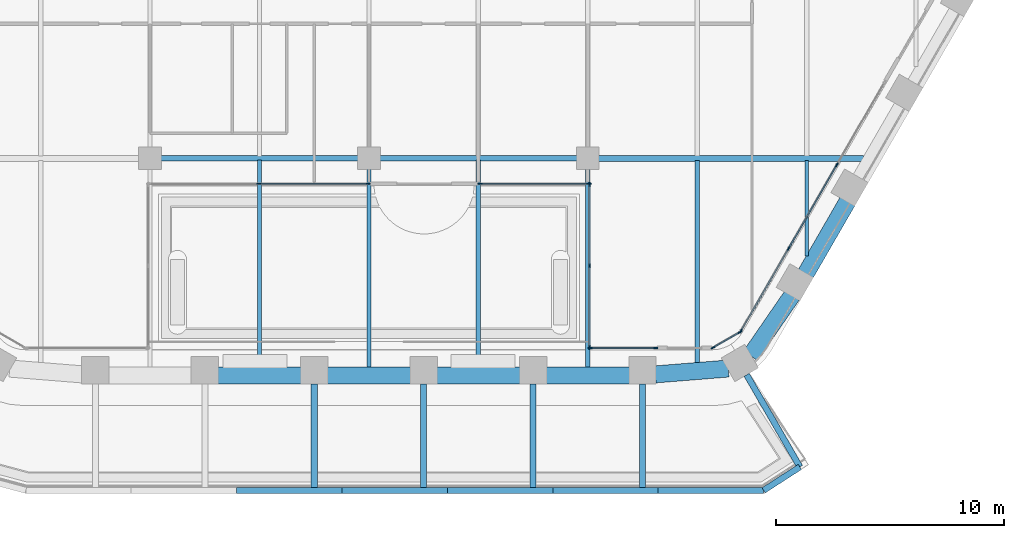
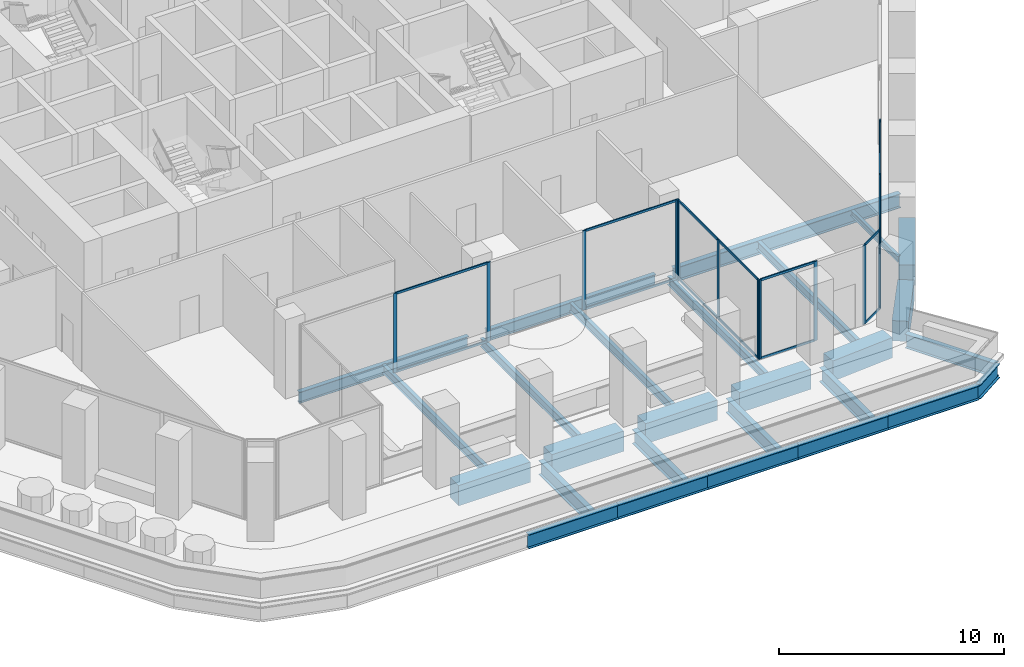
# One storey, part 4 of 27: 30 members, 27 beams, 6 elements without a shape of their own.
"""IFC4 building model written with IfcOpenShell, lengths in metres."""

from ifc_helpers import new_model, si_unit, direction, frame, origin, origin_2d, place, context, subcontext, project, spatial, rectangle, i_section, extrude, material, material_profile, profile_set, type_object, element, aggregate, save


model = new_model("IFC4")

# Units and contexts
model_context = context("Model", 3, precision=1e-05, world=origin(), true_north=direction((0.0, 1.0)))
body_context = subcontext(model_context, "Body", "Model", "MODEL_VIEW")
ifc_project = project(units=[si_unit("LENGTHUNIT", "METRE"), si_unit("AREAUNIT", "SQUARE_METRE"), si_unit("VOLUMEUNIT", "CUBIC_METRE"), si_unit("PLANEANGLEUNIT", "RADIAN"), si_unit("MASSUNIT", "GRAM", prefix="KILO")], contexts=[model_context])

# Site, building, storey
site_placement = place(None, origin())
site = spatial("IfcSite", under=ifc_project, at=site_placement, CompositionType="ELEMENT")
building_placement = place(site_placement, origin())
building = spatial("IfcBuilding", under=site, at=building_placement, Name="Kolab Exchange Tower", CompositionType="ELEMENT")
storey_placement = place(building_placement, frame((0.0, 0.0, 109.39990234375)))
storey = spatial("IfcBuildingStorey", under=building, at=storey_placement, Name="L21", CompositionType="ELEMENT", Elevation=109.39990234375)

# Beams
ifc_material_1 = material(Name="Steel S355", Category="steel")
ifc_material_profile_1 = material_profile(ifc_material_1, i_section(OverallWidth=0.1650390625, OverallDepth=0.31005859375, WebThickness=0.005859375, FlangeThickness=0.009765625, at=origin_2d()), Name="W310X39")
ifc_profile_set_1 = profile_set([ifc_material_profile_1], Name="Steel S355")
beam_type_1 = type_object("IfcBeamType", Name="FLOOR BEAM W310X39", PredefinedType="BEAM", material=ifc_profile_set_1)
beam_1_placement = place(storey_placement, frame((19.199951171875, -23.4814453125, -0.35498046875), z_axis=(0.0, 1.0, 0.0), x_axis=(-1.0, 0.0, 0.0)))
element("IfcBeam", 1, at=beam_1_placement, inside=storey, type_object=beam_type_1, Name="beam/L21/fr/040", PredefinedType="BEAM", context=body_context, shape_type="SweptSolid", body=[
    extrude(i_section(OverallWidth=0.1650390625, OverallDepth=0.31005859375, WebThickness=0.005859375, FlangeThickness=0.009765625, at=origin_2d()), origin(), (0.0, 0.0, 1.0), 4.18798828125),
])
ifc_material_profile_2 = material_profile(ifc_material_1, i_section(OverallWidth=0.18994140625, OverallDepth=0.45703125, WebThickness=0.009033203125, FlangeThickness=0.014404296875, at=origin_2d()), Name="W460X74")
ifc_profile_set_2 = profile_set([ifc_material_profile_2], Name="Steel S355")
beam_type_2 = type_object("IfcBeamType", Name="FLOOR BEAM W460X74", PredefinedType="BEAM", material=ifc_profile_set_2)
beam_2_placement = place(storey_placement, frame((-4.800048828125, -28.388427734375, -0.428466796875), z_axis=(0.0, 1.0, 0.0), x_axis=(-1.0, 0.0, 0.0)))
element("IfcBeam", 2, at=beam_2_placement, inside=storey, type_object=beam_type_2, Name="beam/L21/fr/020", PredefinedType="BEAM", context=body_context, shape_type="SweptSolid", body=[
    extrude(i_section(OverallWidth=0.18994140625, OverallDepth=0.45703125, WebThickness=0.009033203125, FlangeThickness=0.014404296875, at=origin_2d()), origin(), (0.0, 0.0, 1.0), 9.114501953125),
])
beam_3_placement = place(storey_placement, frame((0.0, -28.388427734375, -0.428466796875), z_axis=(0.0, 1.0, 0.0), x_axis=(-1.0, 0.0, 0.0)))
element("IfcBeam", 3, at=beam_3_placement, inside=storey, type_object=beam_type_2, Name="beam/L21/fr/024", PredefinedType="BEAM", context=body_context, shape_type="SweptSolid", body=[
    extrude(i_section(OverallWidth=0.18994140625, OverallDepth=0.45703125, WebThickness=0.009033203125, FlangeThickness=0.014404296875, at=origin_2d()), origin(), (0.0, 0.0, 1.0), 8.728515625),
])
beam_4_placement = place(storey_placement, frame((4.800048828125, -28.388427734375, -0.428466796875), z_axis=(0.0, 1.0, 0.0), x_axis=(-1.0, 0.0, 0.0)))
element("IfcBeam", 4, at=beam_4_placement, inside=storey, type_object=beam_type_2, Name="beam/L21/fr/028", PredefinedType="BEAM", context=body_context, shape_type="SweptSolid", body=[
    extrude(i_section(OverallWidth=0.18994140625, OverallDepth=0.45703125, WebThickness=0.009033203125, FlangeThickness=0.014404296875, at=origin_2d()), origin(), (0.0, 0.0, 1.0), 9.114501953125),
])
beam_5_placement = place(storey_placement, frame((9.60009765625, -28.388427734375, -0.428466796875), z_axis=(0.0, 1.0, 0.0), x_axis=(-1.0, 0.0, 0.0)))
element("IfcBeam", 5, at=beam_5_placement, inside=storey, type_object=beam_type_2, Name="beam/L21/fr/032", PredefinedType="BEAM", context=body_context, shape_type="SweptSolid", body=[
    extrude(i_section(OverallWidth=0.18994140625, OverallDepth=0.45703125, WebThickness=0.009033203125, FlangeThickness=0.014404296875, at=origin_2d()), origin(), (0.0, 0.0, 1.0), 8.728515625),
])
beam_6_placement = place(storey_placement, frame((14.39990234375, -28.194580078125, -0.428466796875), z_axis=(0.0, 1.0, 0.0), x_axis=(-1.0, 0.0, 0.0)))
element("IfcBeam", 6, at=beam_6_placement, inside=storey, type_object=beam_type_2, Name="beam/L21/fr/036", PredefinedType="BEAM", context=body_context, shape_type="SweptSolid", body=[
    extrude(i_section(OverallWidth=0.18994140625, OverallDepth=0.45703125, WebThickness=0.009033203125, FlangeThickness=0.014404296875, at=origin_2d()), origin(), (0.0, 0.0, 1.0), 8.901123046875),
])
ifc_material_profile_3 = material_profile(ifc_material_1, i_section(OverallWidth=0.22802734375, OverallDepth=0.60791015625, WebThickness=0.01123046875, FlangeThickness=0.017333984375, at=origin_2d()), Name="W610X113")
ifc_profile_set_3 = profile_set([ifc_material_profile_3], Name="Steel S355")
beam_type_3 = type_object("IfcBeamType", Name="FLOOR GIRDER W610X113", PredefinedType="BEAM", material=ifc_profile_set_3)
for number, where, z_axis, x_axis, name in (
    (7, (-9.139892578125, -19.199951171875, -0.50390625), (1.0, 0.0, 0.0), (0.0, 1.0, 0.0), "beam/L21/gd/008"),
    (8, (0.4599609375, -19.199951171875, -0.50390625), (1.0, 0.0, 0.0), (0.0, 1.0, 0.0), "beam/L21/gd/010"),
):
    element("IfcBeam", number, at=place(storey_placement, frame(where, z_axis=z_axis, x_axis=x_axis)), inside=storey, type_object=beam_type_3, Name=name, PredefinedType="BEAM", context=body_context, shape_type="SweptSolid", body=[
        extrude(i_section(OverallWidth=0.22802734375, OverallDepth=0.60791015625, WebThickness=0.01123046875, FlangeThickness=0.017333984375, at=origin_2d()), origin(), (0.0, 0.0, 1.0), 8.679931640625),
    ])
ifc_material_profile_4 = material_profile(ifc_material_1, i_section(OverallWidth=0.26708984375, OverallDepth=0.761962890625, WebThickness=0.014404296875, FlangeThickness=0.021484375, at=origin_2d()), Name="W760X173")
ifc_profile_set_4 = profile_set([ifc_material_profile_4], Name="Steel S355")
beam_type_4 = type_object("IfcBeamType", Name="FLOOR GIRDER W760X173", PredefinedType="BEAM", material=ifc_profile_set_4)
beam_7_placement = place(storey_placement, frame((10.06005859375, -19.199951171875, -0.580810546875), z_axis=(1.0, 0.0, 0.0), x_axis=(0.0, 1.0, 0.0)))
element("IfcBeam", 9, at=beam_7_placement, inside=storey, type_object=beam_type_4, Name="beam/L21/gd/012", PredefinedType="BEAM", context=body_context, shape_type="SweptSolid", body=[
    extrude(i_section(OverallWidth=0.26708984375, OverallDepth=0.761962890625, WebThickness=0.014404296875, FlangeThickness=0.021484375, at=origin_2d()), origin(), (0.0, 0.0, 1.0), 11.628662109375),
])
beam_8_placement = place(storey_placement, frame((16.56787109375, -28.696533203125, -0.640869140625), z_axis=(0.500004747635, -0.866022662719, 0.0), x_axis=(0.866022662719, 0.500004747635, 0.0)))
element("IfcBeam", 10, at=beam_8_placement, inside=storey, type_object=beam_type_4, Name="beam/L21/ledge/rib-00", PredefinedType="BEAM", context=body_context, shape_type="SweptSolid", body=[
    extrude(i_section(OverallWidth=0.26708984375, OverallDepth=0.761962890625, WebThickness=0.014404296875, FlangeThickness=0.021484375, at=origin_2d()), origin(), (0.0, 0.0, 1.0), 4.66650390625),
])
for number, where, z_axis, x_axis, name in (
    (11, (12.0, -29.098388671875, -0.640869140625), (0.0, -1.0, 0.0), (1.0, 0.0, 0.0), "beam/L21/ledge/rib-01"),
    (12, (7.199951171875, -29.098388671875, -0.640869140625), (0.0, -1.0, 0.0), (1.0, 0.0, 0.0), "beam/L21/ledge/rib-02"),
    (13, (2.39990234375, -29.098388671875, -0.640869140625), (0.0, -1.0, 0.0), (1.0, 0.0, 0.0), "beam/L21/ledge/rib-03"),
    (14, (-2.39990234375, -29.098388671875, -0.640869140625), (0.0, -1.0, 0.0), (1.0, 0.0, 0.0), "beam/L21/ledge/rib-04"),
):
    element("IfcBeam", number, at=place(storey_placement, frame(where, z_axis=z_axis, x_axis=x_axis)), inside=storey, type_object=beam_type_4, Name=name, PredefinedType="BEAM", context=body_context, shape_type="SweptSolid", body=[
        extrude(i_section(OverallWidth=0.26708984375, OverallDepth=0.761962890625, WebThickness=0.014404296875, FlangeThickness=0.021484375, at=origin_2d()), origin(), (0.0, 0.0, 1.0), 4.533203125),
    ])
beam_9_placement = place(storey_placement, frame((18.9013671875, -32.738037109375, -0.640869140625), z_axis=(-0.839981802732, -0.542614569542, 0.0), x_axis=(0.542614569542, -0.839981802732, 0.0)))
element("IfcBeam", 15, at=beam_9_placement, inside=storey, type_object=beam_type_4, Name="beam/L21/ledge/edge-00", PredefinedType="BEAM", context=body_context, shape_type="SweptSolid", body=[
    extrude(i_section(OverallWidth=0.26708984375, OverallDepth=0.761962890625, WebThickness=0.014404296875, FlangeThickness=0.021484375, at=origin_2d()), origin(), (0.0, 0.0, 1.0), 1.892333984375),
])
beam_10_placement = place(storey_placement, frame((17.311767578125, -33.764892578125, -0.640869140625), z_axis=(-1.0, 0.0, 0.0), x_axis=(0.0, -1.0, 0.0)))
element("IfcBeam", 16, at=beam_10_placement, inside=storey, type_object=beam_type_4, Name="beam/L21/ledge/edge-01", PredefinedType="BEAM", context=body_context, shape_type="SweptSolid", body=[
    extrude(i_section(OverallWidth=0.26708984375, OverallDepth=0.761962890625, WebThickness=0.014404296875, FlangeThickness=0.021484375, at=origin_2d()), origin(), (0.0, 0.0, 1.0), 4.623046875),
])
beam_11_placement = place(storey_placement, frame((12.688720703125, -33.764892578125, -0.640869140625), z_axis=(-1.0, 0.0, 0.0), x_axis=(0.0, -1.0, 0.0)))
element("IfcBeam", 17, at=beam_11_placement, inside=storey, type_object=beam_type_4, Name="beam/L21/ledge/edge-02", PredefinedType="BEAM", context=body_context, shape_type="SweptSolid", body=[
    extrude(i_section(OverallWidth=0.26708984375, OverallDepth=0.761962890625, WebThickness=0.014404296875, FlangeThickness=0.021484375, at=origin_2d()), origin(), (0.0, 0.0, 1.0), 4.623291015625),
])
beam_12_placement = place(storey_placement, frame((8.0654296875, -33.764892578125, -0.640869140625), z_axis=(-1.0, 0.0, 0.0), x_axis=(0.0, -1.0, 0.0)))
element("IfcBeam", 18, at=beam_12_placement, inside=storey, type_object=beam_type_4, Name="beam/L21/ledge/edge-03", PredefinedType="BEAM", context=body_context, shape_type="SweptSolid", body=[
    extrude(i_section(OverallWidth=0.26708984375, OverallDepth=0.761962890625, WebThickness=0.014404296875, FlangeThickness=0.021484375, at=origin_2d()), origin(), (0.0, 0.0, 1.0), 4.623046875),
])
beam_13_placement = place(storey_placement, frame((3.4423828125, -33.764892578125, -0.640869140625), z_axis=(-1.0, 0.0, 0.0), x_axis=(0.0, -1.0, 0.0)))
element("IfcBeam", 19, at=beam_13_placement, inside=storey, type_object=beam_type_4, Name="beam/L21/ledge/edge-04", PredefinedType="BEAM", context=body_context, shape_type="SweptSolid", body=[
    extrude(i_section(OverallWidth=0.26708984375, OverallDepth=0.761962890625, WebThickness=0.014404296875, FlangeThickness=0.021484375, at=origin_2d()), origin(), (0.0, 0.0, 1.0), 4.623291015625),
])
beam_14_placement = place(storey_placement, frame((-1.180908203125, -33.764892578125, -0.640869140625), z_axis=(-1.0, 0.0, 0.0), x_axis=(0.0, -1.0, 0.0)))
element("IfcBeam", 20, at=beam_14_placement, inside=storey, type_object=beam_type_4, Name="beam/L21/ledge/edge-05", PredefinedType="BEAM", context=body_context, shape_type="SweptSolid", body=[
    extrude(i_section(OverallWidth=0.26708984375, OverallDepth=0.761962890625, WebThickness=0.014404296875, FlangeThickness=0.021484375, at=origin_2d()), origin(), (0.0, 0.0, 1.0), 4.623046875),
])
ifc_material_2 = material(Name="Concrete C70/85", Category="concrete")
ifc_material_profile_5 = material_profile(ifc_material_2, rectangle(XDim=0.75, YDim=1.10009765625, at=origin_2d()), Name="RC750X1100")
ifc_profile_set_5 = profile_set([ifc_material_profile_5], Name="Concrete C70/85")
beam_type_5 = type_object("IfcBeamType", Name="SPANDREL BEAM 750X1100 C70/85", PredefinedType="BEAM", material=ifc_profile_set_5)
beam_15_placement = place(storey_placement, frame((20.995361328125, -21.08203125, -0.75), z_axis=(-0.500013413428, -0.866017659399, 0.0), x_axis=(0.866017659399, -0.500013413428, 0.0)))
element("IfcBeam", 21, at=beam_15_placement, inside=storey, type_object=beam_type_5, Name="beam/L21/sp/F3-06", PredefinedType="BEAM", context=body_context, shape_type="SweptSolid", body=[
    extrude(rectangle(XDim=0.75, YDim=1.10009765625, at=origin_2d()), origin(), (0.0, 0.0, 1.0), 3.68017578125),
])
for number, where, z_axis, x_axis, name in (
    (22, (18.55615234375, -25.216552734375, -0.75), (-0.567661826262, -0.823261836237, 0.0), (0.823261836237, -0.567661826262, 0.0), "beam/L21/sp/F3-07"),
    (23, (15.75830078125, -28.421630859375, -0.75), (-0.996791038408, -0.080047646748, 0.0), (0.080047646748, -0.996791038408, 0.0), "beam/L21/sp/F4-01"),
):
    element("IfcBeam", number, at=place(storey_placement, frame(where, z_axis=z_axis, x_axis=x_axis)), inside=storey, type_object=beam_type_5, Name=name, PredefinedType="BEAM", context=body_context, shape_type="SweptSolid", body=[
        extrude(rectangle(XDim=0.75, YDim=1.10009765625, at=origin_2d()), origin(), (0.0, 0.0, 1.0), 3.20849609375),
    ])
for number, where, z_axis, x_axis, name in (
    (24, (11.43994140625, -28.723388671875, -0.75), (-1.0, 0.0, 0.0), (0.0, -1.0, 0.0), "beam/L21/sp/F4-02"),
    (25, (6.639892578125, -28.723388671875, -0.75), (-1.0, 0.0, 0.0), (0.0, -1.0, 0.0), "beam/L21/sp/F4-03"),
):
    element("IfcBeam", number, at=place(storey_placement, frame(where, z_axis=z_axis, x_axis=x_axis)), inside=storey, type_object=beam_type_5, Name=name, PredefinedType="BEAM", context=body_context, shape_type="SweptSolid", body=[
        extrude(rectangle(XDim=0.75, YDim=1.10009765625, at=origin_2d()), origin(), (0.0, 0.0, 1.0), 3.679931640625),
    ])
beam_16_placement = place(storey_placement, frame((1.840087890625, -28.723388671875, -0.75), z_axis=(-1.0, 0.0, 0.0), x_axis=(0.0, -1.0, 0.0)))
element("IfcBeam", 26, at=beam_16_placement, inside=storey, type_object=beam_type_5, Name="beam/L21/sp/F4-04", PredefinedType="BEAM", context=body_context, shape_type="SweptSolid", body=[
    extrude(rectangle(XDim=0.75, YDim=1.10009765625, at=origin_2d()), origin(), (0.0, 0.0, 1.0), 3.68017578125),
])
beam_17_placement = place(storey_placement, frame((-2.9599609375, -28.723388671875, -0.75), z_axis=(-1.0, 0.0, 0.0), x_axis=(0.0, -1.0, 0.0)))
element("IfcBeam", 27, at=beam_17_placement, inside=storey, type_object=beam_type_5, Name="beam/L21/sp/F4-05", PredefinedType="BEAM", context=body_context, shape_type="SweptSolid", body=[
    extrude(rectangle(XDim=0.75, YDim=1.10009765625, at=origin_2d()), origin(), (0.0, 0.0, 1.0), 3.679931640625),
])

# Curtain wall, members
ifc_material_3 = material(Name="Aluminium EN AW-6063 T6", Category="aluminium")
curtain_wall_type = type_object("IfcCurtainWallType", Name="UNITISED LOWER MID ZONE CURTAIN WALL", PredefinedType="NOTDEFINED", material=ifc_material_3)
curtain_wall_1_placement = place(storey_placement, origin())
curtain_wall_1 = element("IfcCurtainWall", 28, at=curtain_wall_1_placement, inside=storey, type_object=curtain_wall_type, Name="cw/L21/F3-2", PredefinedType="NOTDEFINED")
ifc_material_profile_6 = material_profile(ifc_material_3, rectangle(XDim=0.06005859375, YDim=0.179931640625, at=origin_2d()), Name="RECT 60X180")
ifc_profile_set_6 = profile_set([ifc_material_profile_6], Name="Aluminium EN AW-6063 T6")
member_type_1 = type_object("IfcMemberType", Name="UNITISED LOWER MID ZONE MULLION 60 X 180", PredefinedType="MULLION", material=ifc_profile_set_6)
member_1_placement = place(storey_placement, frame((20.520263671875, -19.49462890625, 0.0), z_axis=(0.0, 0.0, 1.0), x_axis=(0.866025393644, -0.500000017564, 0.0)))
member_1 = element("IfcMember", 29, at=member_1_placement, type_object=member_type_1, Name="CW2 mullion 2", PredefinedType="MULLION", context=body_context, shape_type="SweptSolid", body=[
    extrude(rectangle(XDim=0.06005859375, YDim=0.179931640625, at=origin_2d()), origin(), (0.0, 0.0, 1.0), 4.300048828125),
])
member_2_placement = place(storey_placement, frame((18.408935546875, -23.151611328125, 0.0), z_axis=(0.0, 0.0, 1.0), x_axis=(0.866025393644, -0.500000017564, 0.0)))
member_2 = element("IfcMember", 30, at=member_2_placement, type_object=member_type_1, Name="CW2 mullion 3", PredefinedType="MULLION", context=body_context, shape_type="SweptSolid", body=[
    extrude(rectangle(XDim=0.06005859375, YDim=0.179931640625, at=origin_2d()), origin(), (0.0, 0.0, 1.0), 4.300048828125),
])
member_3_placement = place(storey_placement, frame((16.312744140625, -26.782470703125, 0.0), z_axis=(0.0, 0.0, 1.0), x_axis=(0.866025393644, -0.500000017564, 0.0)))
member_3 = element("IfcMember", 31, at=member_3_placement, type_object=member_type_1, Name="CW2 mullion 4", PredefinedType="MULLION", context=body_context, shape_type="SweptSolid", body=[
    extrude(rectangle(XDim=0.06005859375, YDim=0.179931640625, at=origin_2d()), origin(), (0.0, 0.0, 1.0), 4.300048828125),
])

curtain_wall_2_placement = place(storey_placement, origin())
curtain_wall_2 = element("IfcCurtainWall", 32, at=curtain_wall_2_placement, inside=storey, type_object=curtain_wall_type, Name="cw/L21/F4-l-1", PredefinedType="NOTDEFINED")
member_4_placement = place(storey_placement, frame((12.577880859375, -27.5185546875, 0.0), z_axis=(0.0, 0.0, 1.0), x_axis=(0.0, -1.0, 0.0)))
member_4 = element("IfcMember", 33, at=member_4_placement, type_object=member_type_1, Name="CW2 mullion 1", PredefinedType="MULLION", context=body_context, shape_type="SweptSolid", body=[
    extrude(rectangle(XDim=0.06005859375, YDim=0.179931640625, at=origin_2d()), origin(), (0.0, 0.0, 1.0), 4.300048828125),
])
member_5_placement = place(storey_placement, frame((9.7099609375, -27.5185546875, 0.0), z_axis=(0.0, 0.0, 1.0), x_axis=(0.0, -1.0, 0.0)))
member_5 = element("IfcMember", 34, at=member_5_placement, type_object=member_type_1, Name="CW2 mullion 2", PredefinedType="MULLION", context=body_context, shape_type="SweptSolid", body=[
    extrude(rectangle(XDim=0.06005859375, YDim=0.179931640625, at=origin_2d()), origin(), (0.0, 0.0, 1.0), 4.300048828125),
])

curtain_wall_3_placement = place(storey_placement, origin())
curtain_wall_3 = element("IfcCurtainWall", 35, at=curtain_wall_3_placement, inside=storey, type_object=curtain_wall_type, Name="cw/L21/F4-rl-1", PredefinedType="NOTDEFINED")
member_6_placement = place(storey_placement, frame((9.679931640625, -27.488525390625, 0.0), z_axis=(0.0, 0.0, 1.0), x_axis=(-1.0, 0.0, 0.0)))
member_6 = element("IfcMember", 36, at=member_6_placement, type_object=member_type_1, Name="CW2 mullion 1", PredefinedType="MULLION", context=body_context, shape_type="SweptSolid", body=[
    extrude(rectangle(XDim=0.06005859375, YDim=0.179931640625, at=origin_2d()), origin(), (0.0, 0.0, 1.0), 4.300048828125),
])
member_7_placement = place(storey_placement, frame((9.679931640625, -23.91845703125, 0.0), z_axis=(0.0, 0.0, 1.0), x_axis=(-1.0, 0.0, 0.0)))
member_7 = element("IfcMember", 37, at=member_7_placement, type_object=member_type_1, Name="CW2 mullion 2", PredefinedType="MULLION", context=body_context, shape_type="SweptSolid", body=[
    extrude(rectangle(XDim=0.06005859375, YDim=0.179931640625, at=origin_2d()), origin(), (0.0, 0.0, 1.0), 4.300048828125),
])
member_8_placement = place(storey_placement, frame((9.679931640625, -20.348388671875, 0.0), z_axis=(0.0, 0.0, 1.0), x_axis=(-1.0, 0.0, 0.0)))
member_8 = element("IfcMember", 38, at=member_8_placement, type_object=member_type_1, Name="CW2 mullion 3", PredefinedType="MULLION", context=body_context, shape_type="SweptSolid", body=[
    extrude(rectangle(XDim=0.06005859375, YDim=0.179931640625, at=origin_2d()), origin(), (0.0, 0.0, 1.0), 4.300048828125),
])

curtain_wall_4_placement = place(storey_placement, origin())
curtain_wall_4 = element("IfcCurtainWall", 39, at=curtain_wall_4_placement, inside=storey, type_object=curtain_wall_type, Name="cw/L21/F4-back-1", PredefinedType="NOTDEFINED")
member_9_placement = place(storey_placement, frame((9.64990234375, -20.318359375, 0.0), z_axis=(0.0, 0.0, 1.0), x_axis=(0.0, -1.0, 0.0)))
member_9 = element("IfcMember", 40, at=member_9_placement, type_object=member_type_1, Name="CW2 mullion 1", PredefinedType="MULLION", context=body_context, shape_type="SweptSolid", body=[
    extrude(rectangle(XDim=0.06005859375, YDim=0.179931640625, at=origin_2d()), origin(), (0.0, 0.0, 1.0), 4.300048828125),
])
member_10_placement = place(storey_placement, frame((4.8701171875, -20.318359375, 0.0), z_axis=(0.0, 0.0, 1.0), x_axis=(0.0, -1.0, 0.0)))
member_10 = element("IfcMember", 41, at=member_10_placement, type_object=member_type_1, Name="CW2 mullion 2", PredefinedType="MULLION", context=body_context, shape_type="SweptSolid", body=[
    extrude(rectangle(XDim=0.06005859375, YDim=0.179931640625, at=origin_2d()), origin(), (0.0, 0.0, 1.0), 4.300048828125),
])

curtain_wall_5_placement = place(storey_placement, origin())
curtain_wall_5 = element("IfcCurtainWall", 42, at=curtain_wall_5_placement, inside=storey, type_object=curtain_wall_type, Name="cw/L21/F4-back-2", PredefinedType="NOTDEFINED")
member_11_placement = place(storey_placement, frame((-0.030029296875, -20.318359375, 0.0), z_axis=(0.0, 0.0, 1.0), x_axis=(0.0, -1.0, 0.0)))
member_11 = element("IfcMember", 43, at=member_11_placement, type_object=member_type_1, Name="CW2 mullion 1", PredefinedType="MULLION", context=body_context, shape_type="SweptSolid", body=[
    extrude(rectangle(XDim=0.06005859375, YDim=0.179931640625, at=origin_2d()), origin(), (0.0, 0.0, 1.0), 4.300048828125),
])
member_12_placement = place(storey_placement, frame((-4.840087890625, -20.318359375, 0.0), z_axis=(0.0, 0.0, 1.0), x_axis=(0.0, -1.0, 0.0)))
member_12 = element("IfcMember", 44, at=member_12_placement, type_object=member_type_1, Name="CW2 mullion 2", PredefinedType="MULLION", context=body_context, shape_type="SweptSolid", body=[
    extrude(rectangle(XDim=0.06005859375, YDim=0.179931640625, at=origin_2d()), origin(), (0.0, 0.0, 1.0), 4.300048828125),
])

curtain_wall_6_placement = place(storey_placement, origin())
curtain_wall_6 = element("IfcCurtainWall", 45, at=curtain_wall_6_placement, inside=storey, type_object=curtain_wall_type, Name="cw/L21/F3F4-corner", PredefinedType="NOTDEFINED")
member_13_placement = place(storey_placement, frame((16.271728515625, -26.823486328125, 0.0), z_axis=(0.0, 0.0, 1.0), x_axis=(0.50000002237, -0.866025390869, 0.0)))
member_13 = element("IfcMember", 46, at=member_13_placement, type_object=member_type_1, Name="CW2 mullion 1", PredefinedType="MULLION", context=body_context, shape_type="SweptSolid", body=[
    extrude(rectangle(XDim=0.06005859375, YDim=0.179931640625, at=origin_2d()), origin(), (0.0, 0.0, 1.0), 4.300048828125),
])
member_14_placement = place(storey_placement, frame((15.093994140625, -27.50341796875, 0.0), z_axis=(0.0, 0.0, 1.0), x_axis=(0.50000002237, -0.866025390869, 0.0)))
member_14 = element("IfcMember", 47, at=member_14_placement, type_object=member_type_1, Name="CW2 mullion 2", PredefinedType="MULLION", context=body_context, shape_type="SweptSolid", body=[
    extrude(rectangle(XDim=0.06005859375, YDim=0.179931640625, at=origin_2d()), origin(), (0.0, 0.0, 1.0), 4.300048828125),
])

# Member
ifc_material_profile_7 = material_profile(ifc_material_3, rectangle(XDim=0.06005859375, YDim=0.1201171875, at=origin_2d()), Name="RECT 60X120")
ifc_profile_set_7 = profile_set([ifc_material_profile_7], Name="Aluminium EN AW-6063 T6")
member_type_2 = type_object("IfcMemberType", Name="UNITISED LOWER MID ZONE TRANSOM 60 X 120", PredefinedType="USERDEFINED", material=ifc_profile_set_7)
member_15_placement = place(storey_placement, frame((20.50537109375, -19.5205078125, 0.030029296875), z_axis=(-0.49999322259, -0.866029316688, 0.0), x_axis=(0.866029316688, -0.49999322259, 0.0)))
member_15 = element("IfcMember", 48, at=member_15_placement, type_object=member_type_2, Name="CW2 transom 2.1", ObjectType="TRANSOM", PredefinedType="USERDEFINED", context=body_context, shape_type="SweptSolid", body=[
    extrude(rectangle(XDim=0.06005859375, YDim=0.1201171875, at=origin_2d()), origin(), (0.0, 0.0, 1.0), 4.16259765625),
])

member_16_placement = place(storey_placement, frame((20.50537109375, -19.5205078125, 4.27001953125), z_axis=(-0.49999322259, -0.866029316688, 0.0), x_axis=(0.866029316688, -0.49999322259, 0.0)))
member_16 = element("IfcMember", 49, at=member_16_placement, type_object=member_type_2, Name="CW2 transom 2.2", ObjectType="TRANSOM", PredefinedType="USERDEFINED", context=body_context, shape_type="SweptSolid", body=[
    extrude(rectangle(XDim=0.06005859375, YDim=0.1201171875, at=origin_2d()), origin(), (0.0, 0.0, 1.0), 4.16259765625),
])

member_17_placement = place(storey_placement, frame((18.39404296875, -23.177490234375, 0.030029296875), z_axis=(-0.500001996123, -0.866024251319, 0.0), x_axis=(0.866024251319, -0.500001996123, 0.0)))
member_17 = element("IfcMember", 50, at=member_17_placement, type_object=member_type_2, Name="CW2 transom 3.1", ObjectType="TRANSOM", PredefinedType="USERDEFINED", context=body_context, shape_type="SweptSolid", body=[
    extrude(rectangle(XDim=0.06005859375, YDim=0.1201171875, at=origin_2d()), origin(), (0.0, 0.0, 1.0), 4.1328125),
])

member_18_placement = place(storey_placement, frame((18.39404296875, -23.177490234375, 4.27001953125), z_axis=(-0.500001996123, -0.866024251319, 0.0), x_axis=(0.866024251319, -0.500001996123, 0.0)))
member_18 = element("IfcMember", 51, at=member_18_placement, type_object=member_type_2, Name="CW2 transom 3.2", ObjectType="TRANSOM", PredefinedType="USERDEFINED", context=body_context, shape_type="SweptSolid", body=[
    extrude(rectangle(XDim=0.06005859375, YDim=0.1201171875, at=origin_2d()), origin(), (0.0, 0.0, 1.0), 4.1328125),
])

aggregate(curtain_wall_1, [member_1, member_2, member_3, member_15, member_16, member_17, member_18])

member_19_placement = place(storey_placement, frame((12.5478515625, -27.5185546875, 0.030029296875), z_axis=(-1.0, 0.0, 0.0), x_axis=(0.0, -1.0, 0.0)))
member_19 = element("IfcMember", 52, at=member_19_placement, type_object=member_type_2, Name="CW2 transom 1.1", ObjectType="TRANSOM", PredefinedType="USERDEFINED", context=body_context, shape_type="SweptSolid", body=[
    extrude(rectangle(XDim=0.06005859375, YDim=0.1201171875, at=origin_2d()), origin(), (0.0, 0.0, 1.0), 2.807861328125),
])

member_20_placement = place(storey_placement, frame((12.5478515625, -27.5185546875, 4.27001953125), z_axis=(-1.0, 0.0, 0.0), x_axis=(0.0, -1.0, 0.0)))
member_20 = element("IfcMember", 53, at=member_20_placement, type_object=member_type_2, Name="CW2 transom 1.2", ObjectType="TRANSOM", PredefinedType="USERDEFINED", context=body_context, shape_type="SweptSolid", body=[
    extrude(rectangle(XDim=0.06005859375, YDim=0.1201171875, at=origin_2d()), origin(), (0.0, 0.0, 1.0), 2.807861328125),
])

aggregate(curtain_wall_2, [member_4, member_5, member_19, member_20])

member_21_placement = place(storey_placement, frame((9.679931640625, -27.45849609375, 0.030029296875), z_axis=(0.0, 1.0, 0.0), x_axis=(-1.0, 0.0, 0.0)))
member_21 = element("IfcMember", 54, at=member_21_placement, type_object=member_type_2, Name="CW2 transom 1.1", ObjectType="TRANSOM", PredefinedType="USERDEFINED", context=body_context, shape_type="SweptSolid", body=[
    extrude(rectangle(XDim=0.06005859375, YDim=0.1201171875, at=origin_2d()), origin(), (0.0, 0.0, 1.0), 3.510009765625),
])

member_22_placement = place(storey_placement, frame((9.679931640625, -27.45849609375, 4.27001953125), z_axis=(0.0, 1.0, 0.0), x_axis=(-1.0, 0.0, 0.0)))
member_22 = element("IfcMember", 55, at=member_22_placement, type_object=member_type_2, Name="CW2 transom 1.2", ObjectType="TRANSOM", PredefinedType="USERDEFINED", context=body_context, shape_type="SweptSolid", body=[
    extrude(rectangle(XDim=0.06005859375, YDim=0.1201171875, at=origin_2d()), origin(), (0.0, 0.0, 1.0), 3.510009765625),
])

member_23_placement = place(storey_placement, frame((9.679931640625, -23.888427734375, 0.030029296875), z_axis=(0.0, 1.0, 0.0), x_axis=(-1.0, 0.0, 0.0)))
member_23 = element("IfcMember", 56, at=member_23_placement, type_object=member_type_2, Name="CW2 transom 2.1", ObjectType="TRANSOM", PredefinedType="USERDEFINED", context=body_context, shape_type="SweptSolid", body=[
    extrude(rectangle(XDim=0.06005859375, YDim=0.1201171875, at=origin_2d()), origin(), (0.0, 0.0, 1.0), 3.510009765625),
])

member_24_placement = place(storey_placement, frame((9.679931640625, -23.888427734375, 4.27001953125), z_axis=(0.0, 1.0, 0.0), x_axis=(-1.0, 0.0, 0.0)))
member_24 = element("IfcMember", 57, at=member_24_placement, type_object=member_type_2, Name="CW2 transom 2.2", ObjectType="TRANSOM", PredefinedType="USERDEFINED", context=body_context, shape_type="SweptSolid", body=[
    extrude(rectangle(XDim=0.06005859375, YDim=0.1201171875, at=origin_2d()), origin(), (0.0, 0.0, 1.0), 3.510009765625),
])

aggregate(curtain_wall_3, [member_6, member_7, member_8, member_21, member_22, member_23, member_24])

member_25_placement = place(storey_placement, frame((9.6201171875, -20.318359375, 0.030029296875), z_axis=(-1.0, 0.0, 0.0), x_axis=(0.0, -1.0, 0.0)))
member_25 = element("IfcMember", 58, at=member_25_placement, type_object=member_type_2, Name="CW2 transom 1.1", ObjectType="TRANSOM", PredefinedType="USERDEFINED", context=body_context, shape_type="SweptSolid", body=[
    extrude(rectangle(XDim=0.06005859375, YDim=0.1201171875, at=origin_2d()), origin(), (0.0, 0.0, 1.0), 4.72021484375),
])

member_26_placement = place(storey_placement, frame((9.6201171875, -20.318359375, 4.27001953125), z_axis=(-1.0, 0.0, 0.0), x_axis=(0.0, -1.0, 0.0)))
member_26 = element("IfcMember", 59, at=member_26_placement, type_object=member_type_2, Name="CW2 transom 1.2", ObjectType="TRANSOM", PredefinedType="USERDEFINED", context=body_context, shape_type="SweptSolid", body=[
    extrude(rectangle(XDim=0.06005859375, YDim=0.1201171875, at=origin_2d()), origin(), (0.0, 0.0, 1.0), 4.72021484375),
])

aggregate(curtain_wall_4, [member_9, member_10, member_25, member_26])

member_27_placement = place(storey_placement, frame((-0.06005859375, -20.318359375, 0.030029296875), z_axis=(-1.0, 0.0, 0.0), x_axis=(0.0, -1.0, 0.0)))
member_27 = element("IfcMember", 60, at=member_27_placement, type_object=member_type_2, Name="CW2 transom 1.1", ObjectType="TRANSOM", PredefinedType="USERDEFINED", context=body_context, shape_type="SweptSolid", body=[
    extrude(rectangle(XDim=0.06005859375, YDim=0.1201171875, at=origin_2d()), origin(), (0.0, 0.0, 1.0), 4.75),
])

member_28_placement = place(storey_placement, frame((-0.06005859375, -20.318359375, 4.27001953125), z_axis=(-1.0, 0.0, 0.0), x_axis=(0.0, -1.0, 0.0)))
member_28 = element("IfcMember", 61, at=member_28_placement, type_object=member_type_2, Name="CW2 transom 1.2", ObjectType="TRANSOM", PredefinedType="USERDEFINED", context=body_context, shape_type="SweptSolid", body=[
    extrude(rectangle(XDim=0.06005859375, YDim=0.1201171875, at=origin_2d()), origin(), (0.0, 0.0, 1.0), 4.75),
])

aggregate(curtain_wall_5, [member_11, member_12, member_27, member_28])

member_29_placement = place(storey_placement, frame((16.245849609375, -26.83837890625, 0.030029296875), z_axis=(-0.866004217611, -0.500036693733, 0.0), x_axis=(0.500036693733, -0.866004217611, 0.0)))
member_29 = element("IfcMember", 62, at=member_29_placement, type_object=member_type_2, Name="CW2 transom 1.1", ObjectType="TRANSOM", PredefinedType="USERDEFINED", context=body_context, shape_type="SweptSolid", body=[
    extrude(rectangle(XDim=0.06005859375, YDim=0.1201171875, at=origin_2d()), origin(), (0.0, 0.0, 1.0), 1.30029296875),
])

member_30_placement = place(storey_placement, frame((16.245849609375, -26.83837890625, 4.27001953125), z_axis=(-0.866004217611, -0.500036693733, 0.0), x_axis=(0.500036693733, -0.866004217611, 0.0)))
member_30 = element("IfcMember", 63, at=member_30_placement, type_object=member_type_2, Name="CW2 transom 1.2", ObjectType="TRANSOM", PredefinedType="USERDEFINED", context=body_context, shape_type="SweptSolid", body=[
    extrude(rectangle(XDim=0.06005859375, YDim=0.1201171875, at=origin_2d()), origin(), (0.0, 0.0, 1.0), 1.30029296875),
])

aggregate(curtain_wall_6, [member_13, member_14, member_29, member_30])

save(model, "model.ifc")
